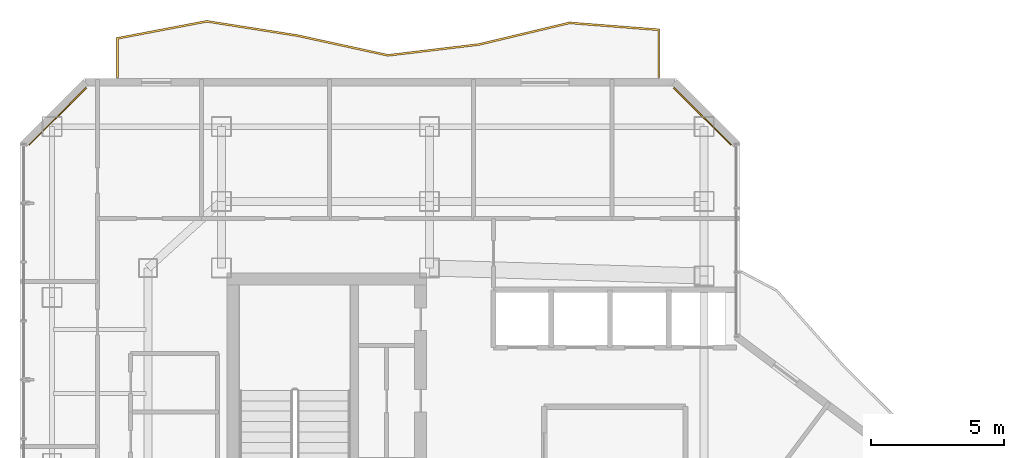
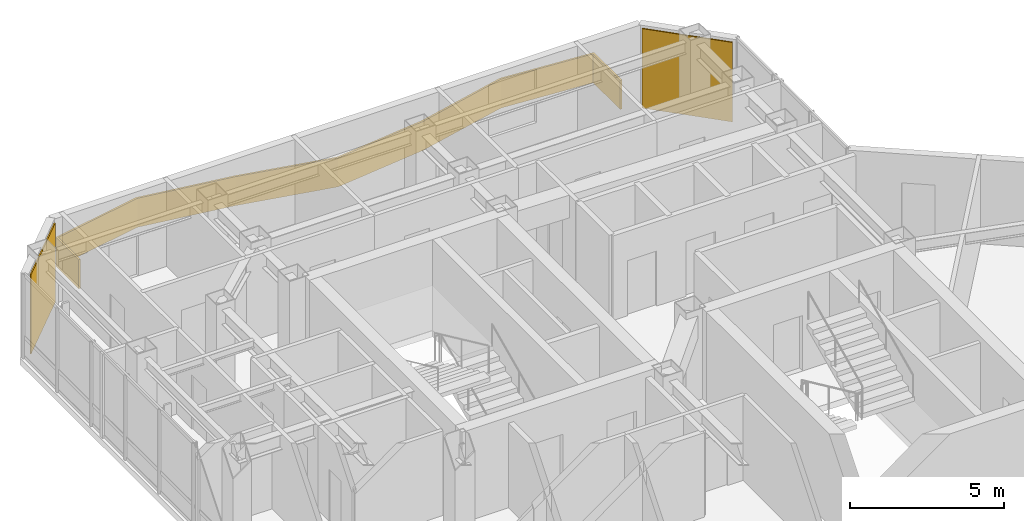
# One storey, part 26 of 26: 2 coverings, 1 railing.
"""IFC4 building model written with IfcOpenShell, lengths in metres."""

import ifcopenshell
import ifcopenshell.guid

model = None  # the IFC model being written
_history = None  # IfcOwnerHistory: only IFC2X3 demands one
_inside = {}  # id of a spatial element -> (the spatial element, [elements in it])
_under = {}  # id of a project, library or spatial element -> (it, [spatial elements below it])
_declared = {}  # id of a project -> (the project, [libraries it declares])
_typed = {}  # id of a type object -> (the type object, [elements of that type])
_made_of = {}  # id of a material, layer set ... -> (it, [elements and type objects made of it])


def new_model(schema):
    """Start an empty IFC model of exactly this schema.

    Asked for "IFC4X3", IfcOpenShell would pick the latest addendum, in which some entities
    have other attributes; the version numbers below select the first issue.
    IFC2X3 requires an IfcOwnerHistory on every rooted entity: one is made here for all.
    """
    global model, _history
    if schema == "IFC4X3":
        model = ifcopenshell.file(schema_version=(4, 3, 0, 0))
    else:
        model = ifcopenshell.file(schema=schema)
    _inside.clear()
    _under.clear()
    _declared.clear()
    _typed.clear()
    _made_of.clear()
    _history = None
    if model.schema == "IFC2X3":
        org = make("IfcOrganization", Name="unknown")
        user = make(
            "IfcPersonAndOrganization",
            ThePerson=make("IfcPerson", FamilyName="unknown"),
            TheOrganization=org,
        )
        app = make(
            "IfcApplication",
            ApplicationDeveloper=org,
            Version="unknown",
            ApplicationFullName="unknown",
            ApplicationIdentifier="unknown",
        )
        _history = make(
            "IfcOwnerHistory",
            OwningUser=user,
            OwningApplication=app,
            ChangeAction="ADDED",
            CreationDate=0,
        )
    return model


def make(cls, **values):
    """One entity of the class cls with the attributes given. An attribute that is None is left unset."""
    return model.create_entity(
        cls, **{name: value for name, value in values.items() if value is not None}
    )


def rooted(cls, **values):
    """An entity with a GlobalId (a new one), such as an element, a storey or a relation."""
    return make(cls, GlobalId=ifcopenshell.guid.new(), OwnerHistory=_history, **values)


def si_unit(unit_type, name, prefix=None):
    """IfcSIUnit, for example si_unit("LENGTHUNIT", "METRE", prefix="MILLI")."""
    return make("IfcSIUnit", UnitType=unit_type, Prefix=prefix, Name=name)


def assignment(units):
    """IfcUnitAssignment: the units of a project."""
    return None if units is None else make("IfcUnitAssignment", Units=units)


def point(xyz):
    """IfcCartesianPoint."""
    return None if xyz is None else make("IfcCartesianPoint", Coordinates=xyz)


def direction(xyz):
    """IfcDirection."""
    return None if xyz is None else make("IfcDirection", DirectionRatios=xyz)


def frame(location, z_axis=None, x_axis=None):
    """IfcAxis2Placement3D, a coordinate frame: its origin and axes. An axis left out is left unset."""
    return make(
        "IfcAxis2Placement3D",
        Location=point(location),
        Axis=direction(z_axis),
        RefDirection=direction(x_axis),
    )


def frame_2d(location, x_axis=None):
    """IfcAxis2Placement2D, a coordinate frame in the plane: its origin and x axis."""
    return make(
        "IfcAxis2Placement2D", Location=point(location), RefDirection=direction(x_axis)
    )


def origin():
    """The frame at (0, 0, 0) with its axes left unset."""
    return frame((0.0, 0.0, 0.0))


def origin_2d():
    """The frame at (0, 0) in the plane with its x axis left unset."""
    return frame_2d((0.0, 0.0))


def place(relative_to, where):
    """IfcLocalPlacement: puts the frame where relative to a parent placement (None: the world)."""
    return make(
        "IfcLocalPlacement", PlacementRelTo=relative_to, RelativePlacement=where
    )


def context(
    kind, dimensions, precision=None, world=None, true_north=None, identifier=None
):
    """IfcGeometricRepresentationContext, for example the 3D "Model" context."""
    return make(
        "IfcGeometricRepresentationContext",
        ContextIdentifier=identifier,
        ContextType=kind,
        CoordinateSpaceDimension=dimensions,
        Precision=precision,
        WorldCoordinateSystem=world,
        TrueNorth=true_north,
    )


def subcontext(parent, identifier, kind, view, scale=None):
    """IfcGeometricRepresentationSubContext, for example "Body" below "Model"."""
    return make(
        "IfcGeometricRepresentationSubContext",
        ContextIdentifier=identifier,
        ContextType=kind,
        ParentContext=parent,
        TargetScale=scale,
        TargetView=view,
    )


def project(units=None, contexts=None):
    """IfcProject with its units and contexts."""
    return rooted(
        "IfcProject",
        Name="project",
        RepresentationContexts=contexts,
        UnitsInContext=assignment(units),
    )


def spatial(cls, under=None, at=None, **own):
    """A site, building, storey or space (cls), placed at a placement, below another one or the project."""
    s = rooted(cls, ObjectPlacement=at, **own)
    if under is not None:
        _under.setdefault(under.id(), (under, []))[1].append(s)
    return s


def polyline(points):
    """IfcPolyline through the points."""
    return make("IfcPolyline", Points=[point(p) for p in points])


def profile(cls, at=None, kind="AREA", **sizes):
    """A parametric profile (cls). Its sizes go by their IFC names, for example OverallWidth=200.0."""
    return make(cls, ProfileType=kind, Position=at, **sizes)


def rectangle(**sizes):
    """IfcRectangleProfileDef."""
    return profile("IfcRectangleProfileDef", **sizes)


def outline(outer, holes=None, kind="AREA"):
    """IfcArbitraryClosedProfileDef: a profile drawn as a closed curve; with holes, ...WithVoids."""
    if holes is None:
        return make("IfcArbitraryClosedProfileDef", ProfileType=kind, OuterCurve=outer)
    return make(
        "IfcArbitraryProfileDefWithVoids",
        ProfileType=kind,
        OuterCurve=outer,
        InnerCurves=holes,
    )


def extrude(swept, where, along, depth):
    """IfcExtrudedAreaSolid: the profile swept, set in the frame where, extruded along a direction by depth."""
    return make(
        "IfcExtrudedAreaSolid",
        SweptArea=swept,
        Position=where,
        ExtrudedDirection=direction(along),
        Depth=depth,
    )


def shape(context_of_items, identifier, shape_type, items):
    """IfcShapeRepresentation: the items that make up one representation, for example the "Body"."""
    return make(
        "IfcShapeRepresentation",
        ContextOfItems=context_of_items,
        RepresentationIdentifier=identifier,
        RepresentationType=shape_type,
        Items=items,
    )


def material(Name=None, Category=None):
    """IfcMaterial."""
    return make("IfcMaterial", Name=Name, Category=Category)


def layer(
    of_material, thickness, ventilated=None, Name=None, Category=None, Priority=None
):
    """IfcMaterialLayer: one layer of a wall or slab, of a material (None: an air gap)."""
    return make(
        "IfcMaterialLayer",
        Material=of_material,
        LayerThickness=thickness,
        IsVentilated=ventilated,
        Name=Name,
        Category=Category,
        Priority=Priority,
    )


def layer_set(layers, Name=None):
    """IfcMaterialLayerSet."""
    return make("IfcMaterialLayerSet", MaterialLayers=layers, LayerSetName=Name)


def made_of(thing, what):
    """Note that an element or type object is made of a material, layer set ...; save() writes the relation."""
    if what is not None:
        _made_of.setdefault(what.id(), (what, []))[1].append(thing)
    return thing


def type_object(cls, material=None, **own):
    """A type object (cls), such as IfcWallType, which elements share."""
    return made_of(rooted(cls, **own), material)


def element(
    cls,
    number,
    at=None,
    inside=None,
    cuts=None,
    type_object=None,
    material=None,
    context=None,
    identifier="Body",
    shape_type=None,
    held_by="IfcProductDefinitionShape",
    body=None,
    shapes=None,
    **own,
):
    """One element of the class cls, such as IfcWall. Its Tag is "e" and its number.

    at: its placement. inside: the storey or other place that contains it. cuts: it is an
    opening in that element (IfcRelVoidsElement). A single representation is given by context,
    identifier, shape_type and body (its items); several are given by shapes. held_by: the class
    of the entity that holds the representations. save() writes the other relations.
    """
    e = rooted(cls, Tag="e%d" % number, ObjectPlacement=at, **own)
    if body is not None:
        shapes = [shape(context, identifier, shape_type, body)]
    if shapes is not None:
        e.Representation = make(held_by, Representations=shapes)
    if inside is not None:
        _inside.setdefault(inside.id(), (inside, []))[1].append(e)
    if cuts is not None:
        rooted(
            "IfcRelVoidsElement", RelatingBuildingElement=cuts, RelatedOpeningElement=e
        )
    if type_object is not None:
        _typed.setdefault(type_object.id(), (type_object, []))[1].append(e)
    return made_of(e, material)


def aggregate(whole, parts):
    """IfcRelAggregates: a whole, such as a stair, and the parts it consists of."""
    return rooted("IfcRelAggregates", RelatingObject=whole, RelatedObjects=parts)


def save(model, path):
    """Write the relations noted so far, then the file.

    IfcRelAggregates (storeys below a building ...), IfcRelContainedInSpatialStructure (elements
    in a storey), IfcRelDefinesByType, IfcRelAssociatesMaterial and IfcRelDeclares: one each for
    every whole, place, type object, material and project.
    """
    for whole, parts in _under.values():
        aggregate(whole, parts)
    for where, things in _inside.values():
        rooted(
            "IfcRelContainedInSpatialStructure",
            RelatedElements=things,
            RelatingStructure=where,
        )
    for kind, things in _typed.values():
        rooted("IfcRelDefinesByType", RelatedObjects=things, RelatingType=kind)
    for what, things in _made_of.values():
        rooted("IfcRelAssociatesMaterial", RelatedObjects=things, RelatingMaterial=what)
    for by, libraries in _declared.values():
        rooted("IfcRelDeclares", RelatingContext=by, RelatedDefinitions=libraries)
    model.write(path)


model = new_model("IFC4")

# Units and contexts
model_context = context("Model", 3, precision=1e-05, world=origin(), true_north=direction((0.0, 1.0)))
body_context = subcontext(model_context, "Body", "Model", "MODEL_VIEW")
ifc_project = project(units=[si_unit("LENGTHUNIT", "METRE"), si_unit("AREAUNIT", "SQUARE_METRE"), si_unit("VOLUMEUNIT", "CUBIC_METRE"), si_unit("PLANEANGLEUNIT", "RADIAN"), si_unit("MASSUNIT", "GRAM", prefix="KILO")], contexts=[model_context])

# Site, building, storey
site_placement = place(None, origin())
site = spatial("IfcSite", under=ifc_project, at=site_placement, CompositionType="ELEMENT")
building_placement = place(site_placement, origin())
building = spatial("IfcBuilding", under=site, at=building_placement, Name="Hatsunagi Terrace Concourse", CompositionType="ELEMENT")
storey_placement = place(building_placement, frame((0.0, 0.0, 209.550048828125)))
storey = spatial("IfcBuildingStorey", under=building, at=storey_placement, Name="L55", CompositionType="ELEMENT", Elevation=209.550048828125)

# Railing
ifc_material_1 = material(Name="Laminated Glass and Stainless Steel Guard", Category="steel")
ifc_layer_1 = layer(ifc_material_1, 0.070068359375)
ifc_layer_set_1 = layer_set([ifc_layer_1], Name="BalconyGlassGuardRail_1150")
railing_type = type_object("IfcRailingType", Name="BalconyGlassGuardRail_1150", PredefinedType="BALUSTRADE", material=ifc_layer_set_1)
railing_placement = place(storey_placement, origin())
element("IfcRailing", 1, at=railing_placement, inside=storey, type_object=railing_type, Name="Engawa Balcony Guard GRD-01 L55-BN-1", PredefinedType="BALUSTRADE", context=body_context, shape_type="SweptSolid", body=[
    extrude(outline(polyline([(21.614990234375, 50.449951171875), (21.68505859375, 50.449951171875), (21.68505859375, 51.8798828125), (25.001708984375, 52.511474609375), (28.384521484375, 51.9794921875), (31.79638671875, 51.235595703125), (35.215087890625, 51.64453125), (38.606689453125, 52.45361328125), (41.9150390625, 52.196533203125), (41.9150390625, 50.449951171875), (41.985107421875, 50.449951171875), (41.985107421875, 52.261474609375), (38.601318359375, 52.5244140625), (35.202880859375, 51.71337890625), (31.7998046875, 51.306396484375), (28.3974609375, 52.04833984375), (25.00048828125, 52.58251953125), (21.614990234375, 51.93798828125), (21.614990234375, 50.449951171875)])), origin(), (0.0, 0.0, 1.0), 1.14990234375),
])

# Coverings
ifc_material_2 = material(Name="Unglazed Warm Terracotta Rainscreen Tile", Category="masonry")
ifc_layer_2 = layer(ifc_material_2, 0.044921875)
ifc_layer_set_2 = layer_set([ifc_layer_2], Name="TerracottaRainscreenCladding_45")
covering_type = type_object("IfcCoveringType", Name="TerracottaRainscreenCladding_45", PredefinedType="CLADDING", material=ifc_layer_set_2)
for number, where, z_axis, x_axis, name in (
    (2, (19.4140625, 48.986083984375, 0.10009765625), (0.0, 0.0, 1.0), (0.707106781187, 0.707106781187, 0.0), "Terracotta Rainscreen Cladding L55-09"),
    (3, (43.5859375, 48.986083984375, 0.10009765625), (0.0, 0.0, 1.0), (0.707106781187, -0.707106781187, 0.0), "Terracotta Rainscreen Cladding L55-11"),
):
    element("IfcCovering", number, at=place(storey_placement, frame(where, z_axis=z_axis, x_axis=x_axis)), inside=storey, type_object=covering_type, Name=name, PredefinedType="CLADDING", context=body_context, shape_type="SweptSolid", body=[
        extrude(rectangle(XDim=3.0380859375, YDim=0.044921875, at=origin_2d()), origin(), (0.0, 0.0, 1.0), 3.14990234375),
    ])

save(model, "model.ifc")
